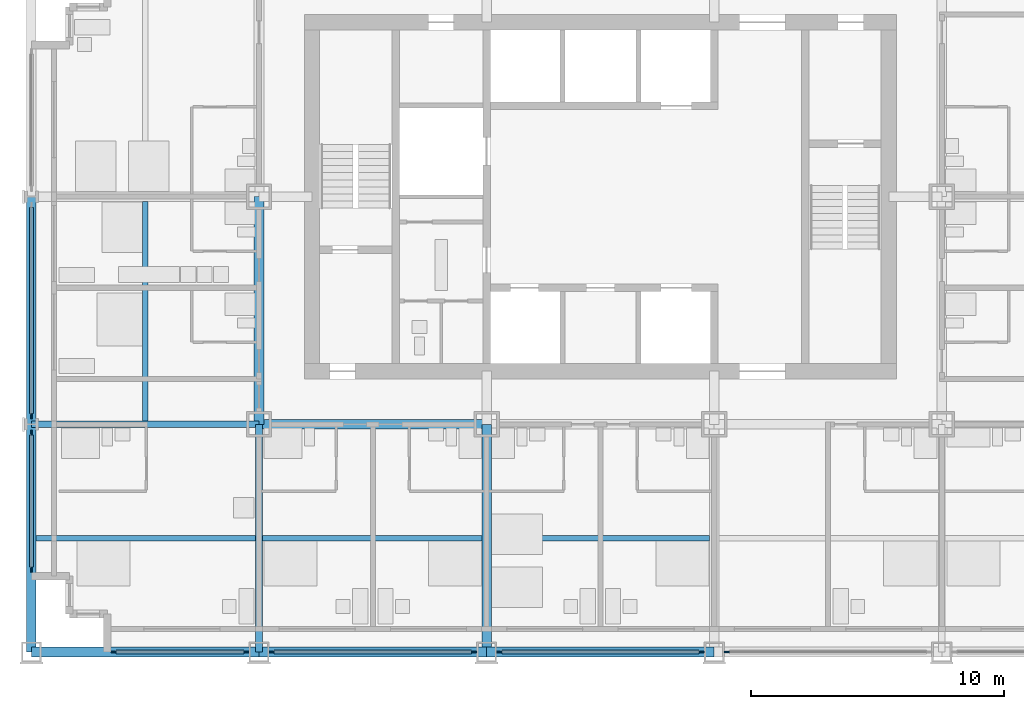
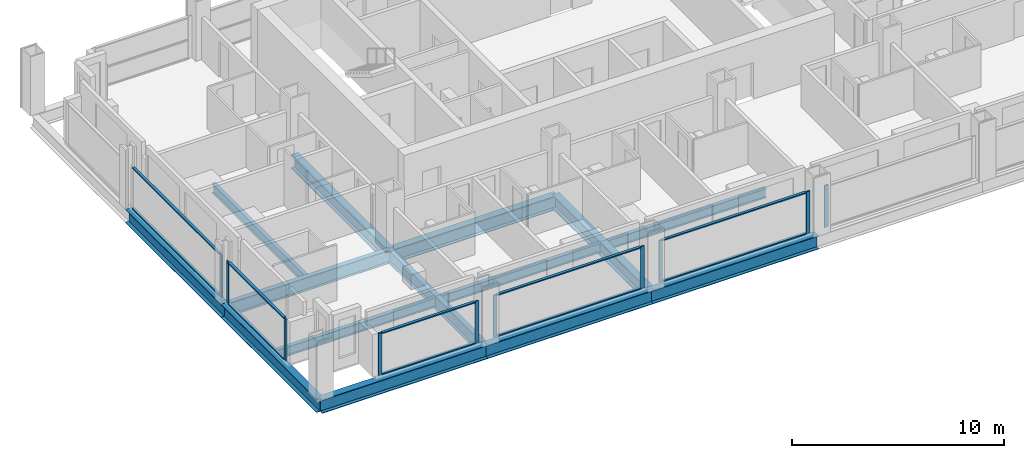
# One storey, part 2 of 13: 20 members, 14 beams, 6 elements without a shape of their own.
"""IFC4 building model written with IfcOpenShell, lengths in metres."""

from ifc_helpers import new_model, si_unit, direction, frame, origin, origin_2d, place, context, subcontext, project, spatial, rectangle, i_section, extrude, material, material_profile, profile_set, type_object, element, aggregate, save


model = new_model("IFC4")

# Units and contexts
model_context = context("Model", 3, precision=1e-05, world=origin(), true_north=direction((0.0, 1.0)))
body_context = subcontext(model_context, "Body", "Model", "MODEL_VIEW")
ifc_project = project(units=[si_unit("LENGTHUNIT", "METRE"), si_unit("AREAUNIT", "SQUARE_METRE"), si_unit("VOLUMEUNIT", "CUBIC_METRE"), si_unit("PLANEANGLEUNIT", "RADIAN"), si_unit("MASSUNIT", "GRAM", prefix="KILO")], contexts=[model_context])

# Site, building, storey
site_placement = place(None, origin())
site = spatial("IfcSite", under=ifc_project, at=site_placement, CompositionType="ELEMENT")
building_placement = place(site_placement, origin())
building = spatial("IfcBuilding", under=site, at=building_placement, Name="Loomwork Tower", CompositionType="ELEMENT")
storey_placement = place(building_placement, frame((0.0, 0.0, 163.800048828125)))
storey = spatial("IfcBuildingStorey", under=building, at=storey_placement, Name="L44", CompositionType="ELEMENT", Elevation=163.800048828125)

# Beams
ifc_material_1 = material(Name="Steel ASTM A992", Category="steel")
ifc_material_profile_1 = material_profile(ifc_material_1, i_section(OverallWidth=0.383544921875, OverallDepth=0.794921875, WebThickness=0.02099609375, FlangeThickness=0.0380859375, at=origin_2d()), Name="W30x235")
ifc_profile_set_1 = profile_set([ifc_material_profile_1], Name="Steel ASTM A992")
beam_type_1 = type_object("IfcBeamType", Name="CORE FLANK GIRDER W30x235", PredefinedType="BEAM", material=ifc_profile_set_1)
for number, where, z_axis, x_axis, name in (
    (1, (9.0, 9.0, -0.59765625), (1.0, 0.0, 0.0), (0.0, 1.0, 0.0), "Core Flank Girder E/3-E/4 L44"),
    (2, (9.0, 9.0, -0.59765625), (0.0, 1.0, 0.0), (-1.0, 0.0, 0.0), "Core Flank Girder E/3-F/3 L44"),
    (3, (18.0, 0.0, -0.59765625), (0.0, 1.0, 0.0), (-1.0, 0.0, 0.0), "Core Flank Girder D/4-E/4 L44"),
):
    element("IfcBeam", number, at=place(storey_placement, frame(where, z_axis=z_axis, x_axis=x_axis)), inside=storey, type_object=beam_type_1, Name=name, PredefinedType="BEAM", context=body_context, shape_type="SweptSolid", body=[
        extrude(i_section(OverallWidth=0.383544921875, OverallDepth=0.794921875, WebThickness=0.02099609375, FlangeThickness=0.0380859375, at=origin_2d()), origin(), (0.0, 0.0, 1.0), 9.0),
    ])
ifc_material_2 = material(Name="Steel ASTM A992", Category="steel")
ifc_material_profile_2 = material_profile(ifc_material_2, i_section(OverallWidth=0.2666015625, OverallDepth=0.761962890625, WebThickness=0.014404296875, FlangeThickness=0.021484375, at=origin_2d()), Name="W30x116")
ifc_profile_set_2 = profile_set([ifc_material_profile_2], Name="Steel ASTM A992")
beam_type_2 = type_object("IfcBeamType", Name="FLOOR GIRDER W30x116", PredefinedType="BEAM", material=ifc_profile_set_2)
for number, where, z_axis, x_axis, name in (
    (4, (0.0, 9.0, -0.5810546875), (1.0, 0.0, 0.0), (0.0, 1.0, 0.0), "Floor Girder E/2-E/3 L44"),
    (5, (9.0, 0.0, -0.5810546875), (0.0, 1.0, 0.0), (-1.0, 0.0, 0.0), "Floor Girder D/3-E/3 L44"),
):
    element("IfcBeam", number, at=place(storey_placement, frame(where, z_axis=z_axis, x_axis=x_axis)), inside=storey, type_object=beam_type_2, Name=name, PredefinedType="BEAM", context=body_context, shape_type="SweptSolid", body=[
        extrude(i_section(OverallWidth=0.2666015625, OverallDepth=0.761962890625, WebThickness=0.014404296875, FlangeThickness=0.021484375, at=origin_2d()), origin(), (0.0, 0.0, 1.0), 9.0),
    ])
ifc_material_3 = material(Name="Steel ASTM A992", Category="steel")
ifc_material_profile_3 = material_profile(ifc_material_3, i_section(OverallWidth=0.2109375, OverallDepth=0.53857421875, WebThickness=0.011474609375, FlangeThickness=0.018798828125, at=origin_2d()), Name="W21x73")
ifc_profile_set_3 = profile_set([ifc_material_profile_3], Name="Steel ASTM A992")
beam_type_3 = type_object("IfcBeamType", Name="FLOOR JOIST W21x73", PredefinedType="JOIST", material=ifc_profile_set_3)
beam_1_placement = place(storey_placement, frame((0.18994140625, 4.5, -0.46923828125), z_axis=(1.0, 0.0, 0.0), x_axis=(0.0, 1.0, 0.0)))
element("IfcBeam", 6, at=beam_1_placement, inside=storey, type_object=beam_type_3, Name="Floor Joist 0.000,4.500-9.000,4.500 L44", PredefinedType="JOIST", context=body_context, shape_type="SweptSolid", body=[
    extrude(i_section(OverallWidth=0.2109375, OverallDepth=0.53857421875, WebThickness=0.011474609375, FlangeThickness=0.018798828125, at=origin_2d()), origin(), (0.0, 0.0, 1.0), 8.677001953125),
])
for number, where, z_axis, x_axis, name in (
    (7, (4.5, 9.133056640625, -0.46923828125), (0.0, 1.0, 0.0), (-1.0, 0.0, 0.0), "Floor Joist 4.500,9.000-4.500,18.000 L44"),
    (8, (9.133056640625, 4.5, -0.46923828125), (1.0, 0.0, 0.0), (0.0, 1.0, 0.0), "Floor Joist 9.000,4.500-18.000,4.500 L44"),
):
    element("IfcBeam", number, at=place(storey_placement, frame(where, z_axis=z_axis, x_axis=x_axis)), inside=storey, type_object=beam_type_3, Name=name, PredefinedType="JOIST", context=body_context, shape_type="SweptSolid", body=[
        extrude(i_section(OverallWidth=0.2109375, OverallDepth=0.53857421875, WebThickness=0.011474609375, FlangeThickness=0.018798828125, at=origin_2d()), origin(), (0.0, 0.0, 1.0), 8.676025390625),
    ])
beam_2_placement = place(storey_placement, frame((18.19091796875, 4.5, -0.46923828125), z_axis=(1.0, 0.0, 0.0), x_axis=(0.0, 1.0, 0.0)))
element("IfcBeam", 9, at=beam_2_placement, inside=storey, type_object=beam_type_3, Name="Floor Joist 18.000,4.500-27.000,4.500 L44", PredefinedType="JOIST", context=body_context, shape_type="SweptSolid", body=[
    extrude(i_section(OverallWidth=0.2109375, OverallDepth=0.53857421875, WebThickness=0.011474609375, FlangeThickness=0.018798828125, at=origin_2d()), origin(), (0.0, 0.0, 1.0), 8.6181640625),
])

# Curtain wall, members
ifc_material_4 = material(Name="Aluminium curtain wall frame", Category="aluminium")
curtain_wall_type = type_object("IfcCurtainWallType", Name="Outer skin glazing hotel", PredefinedType="NOTDEFINED", material=ifc_material_4)
curtain_wall_1_placement = place(storey_placement, origin())
curtain_wall_1 = element("IfcCurtainWall", 10, at=curtain_wall_1_placement, inside=storey, type_object=curtain_wall_type, Name="Outer skin glazing hotel cw/S-0", PredefinedType="NOTDEFINED")
ifc_material_5 = material(Name="Aluminium curtain wall frame", Category="aluminium")
ifc_material_profile_4 = material_profile(ifc_material_5, rectangle(XDim=0.06494140625, YDim=0.199951171875, at=origin_2d()), Name="AL 65x200")
ifc_profile_set_4 = profile_set([ifc_material_profile_4], Name="Aluminium curtain wall frame")
member_type_1 = type_object("IfcMemberType", Name="Outer skin glazing hotel mullion", PredefinedType="MULLION", material=ifc_profile_set_4)
member_1_placement = place(storey_placement, frame((3.25, 0.0, 0.0), z_axis=(0.0, 0.0, 1.0), x_axis=(0.0, 1.0, 0.0)))
member_1 = element("IfcMember", 11, at=member_1_placement, type_object=member_type_1, Name="CW1 mullion 1", PredefinedType="MULLION", context=body_context, shape_type="SweptSolid", body=[
    extrude(rectangle(XDim=0.06494140625, YDim=0.199951171875, at=origin_2d()), origin(), (0.0, 0.0, 1.0), 2.420166015625),
])
member_2_placement = place(storey_placement, frame((8.5, 0.0, 0.0), z_axis=(0.0, 0.0, 1.0), x_axis=(0.0, 1.0, 0.0)))
member_2 = element("IfcMember", 12, at=member_2_placement, type_object=member_type_1, Name="CW1 mullion 2", PredefinedType="MULLION", context=body_context, shape_type="SweptSolid", body=[
    extrude(rectangle(XDim=0.06494140625, YDim=0.199951171875, at=origin_2d()), origin(), (0.0, 0.0, 1.0), 2.420166015625),
])

curtain_wall_2_placement = place(storey_placement, origin())
curtain_wall_2 = element("IfcCurtainWall", 13, at=curtain_wall_2_placement, inside=storey, type_object=curtain_wall_type, Name="Outer skin glazing hotel cw/S-9", PredefinedType="NOTDEFINED")
member_3_placement = place(storey_placement, frame((9.5, 0.0, 0.0), z_axis=(0.0, 0.0, 1.0), x_axis=(0.0, 1.0, 0.0)))
member_3 = element("IfcMember", 14, at=member_3_placement, type_object=member_type_1, Name="CW1 mullion 1", PredefinedType="MULLION", context=body_context, shape_type="SweptSolid", body=[
    extrude(rectangle(XDim=0.06494140625, YDim=0.199951171875, at=origin_2d()), origin(), (0.0, 0.0, 1.0), 2.420166015625),
])
member_4_placement = place(storey_placement, frame((17.5, 0.0, 0.0), z_axis=(0.0, 0.0, 1.0), x_axis=(0.0, 1.0, 0.0)))
member_4 = element("IfcMember", 15, at=member_4_placement, type_object=member_type_1, Name="CW1 mullion 2", PredefinedType="MULLION", context=body_context, shape_type="SweptSolid", body=[
    extrude(rectangle(XDim=0.06494140625, YDim=0.199951171875, at=origin_2d()), origin(), (0.0, 0.0, 1.0), 2.420166015625),
])

curtain_wall_3_placement = place(storey_placement, origin())
curtain_wall_3 = element("IfcCurtainWall", 16, at=curtain_wall_3_placement, inside=storey, type_object=curtain_wall_type, Name="Outer skin glazing hotel cw/S-18", PredefinedType="NOTDEFINED")
member_5_placement = place(storey_placement, frame((18.5, 0.0, 0.0), z_axis=(0.0, 0.0, 1.0), x_axis=(0.0, 1.0, 0.0)))
member_5 = element("IfcMember", 17, at=member_5_placement, type_object=member_type_1, Name="CW1 mullion 1", PredefinedType="MULLION", context=body_context, shape_type="SweptSolid", body=[
    extrude(rectangle(XDim=0.06494140625, YDim=0.199951171875, at=origin_2d()), origin(), (0.0, 0.0, 1.0), 2.420166015625),
])
member_6_placement = place(storey_placement, frame((26.5, 0.0, 0.0), z_axis=(0.0, 0.0, 1.0), x_axis=(0.0, 1.0, 0.0)))
member_6 = element("IfcMember", 18, at=member_6_placement, type_object=member_type_1, Name="CW1 mullion 2", PredefinedType="MULLION", context=body_context, shape_type="SweptSolid", body=[
    extrude(rectangle(XDim=0.06494140625, YDim=0.199951171875, at=origin_2d()), origin(), (0.0, 0.0, 1.0), 2.420166015625),
])

# Curtain wall, member
curtain_wall_4_placement = place(storey_placement, origin())
curtain_wall_4 = element("IfcCurtainWall", 19, at=curtain_wall_4_placement, inside=storey, type_object=curtain_wall_type, Name="Outer skin glazing hotel cw/S-27", PredefinedType="NOTDEFINED")
member_7_placement = place(storey_placement, frame((27.5, 0.0, 0.0), z_axis=(0.0, 0.0, 1.0), x_axis=(0.0, 1.0, 0.0)))
member_7 = element("IfcMember", 20, at=member_7_placement, type_object=member_type_1, Name="CW1 mullion 1", PredefinedType="MULLION", context=body_context, shape_type="SweptSolid", body=[
    extrude(rectangle(XDim=0.06494140625, YDim=0.199951171875, at=origin_2d()), origin(), (0.0, 0.0, 1.0), 2.420166015625),
])
aggregate(curtain_wall_4, [member_7])

# Curtain wall, members
curtain_wall_5_placement = place(storey_placement, origin())
curtain_wall_5 = element("IfcCurtainWall", 21, at=curtain_wall_5_placement, inside=storey, type_object=curtain_wall_type, Name="Outer skin glazing hotel cw/W-0", PredefinedType="NOTDEFINED")
member_8_placement = place(storey_placement, frame((0.0, 8.67529296875, 0.0), z_axis=(0.0, 0.0, 1.0), x_axis=(1.0, 0.0, 0.0)))
member_8 = element("IfcMember", 22, at=member_8_placement, type_object=member_type_1, Name="CW1 mullion 1", PredefinedType="MULLION", context=body_context, shape_type="SweptSolid", body=[
    extrude(rectangle(XDim=0.06494140625, YDim=0.199951171875, at=origin_2d()), origin(), (0.0, 0.0, 1.0), 2.420166015625),
])
member_9_placement = place(storey_placement, frame((0.0, 3.25, 0.0), z_axis=(0.0, 0.0, 1.0), x_axis=(1.0, 0.0, 0.0)))
member_9 = element("IfcMember", 23, at=member_9_placement, type_object=member_type_1, Name="CW1 mullion 2", PredefinedType="MULLION", context=body_context, shape_type="SweptSolid", body=[
    extrude(rectangle(XDim=0.06494140625, YDim=0.199951171875, at=origin_2d()), origin(), (0.0, 0.0, 1.0), 2.420166015625),
])

# Curtain wall, member
curtain_wall_6_placement = place(storey_placement, origin())
curtain_wall_6 = element("IfcCurtainWall", 24, at=curtain_wall_6_placement, inside=storey, type_object=curtain_wall_type, Name="Outer skin glazing hotel cw/W-9", PredefinedType="NOTDEFINED")
member_10_placement = place(storey_placement, frame((0.0, 9.32470703125, 0.0), z_axis=(0.0, 0.0, 1.0), x_axis=(1.0, 0.0, 0.0)))
member_10 = element("IfcMember", 25, at=member_10_placement, type_object=member_type_1, Name="CW1 mullion 2", PredefinedType="MULLION", context=body_context, shape_type="SweptSolid", body=[
    extrude(rectangle(XDim=0.06494140625, YDim=0.199951171875, at=origin_2d()), origin(), (0.0, 0.0, 1.0), 2.420166015625),
])

# Member
ifc_material_6 = material(Name="Aluminium curtain wall frame", Category="aluminium")
ifc_material_profile_5 = material_profile(ifc_material_6, rectangle(XDim=0.14990234375, YDim=0.06494140625, at=origin_2d()), Name="AL 65x150")
ifc_profile_set_5 = profile_set([ifc_material_profile_5], Name="Aluminium curtain wall frame")
member_type_2 = type_object("IfcMemberType", Name="Outer skin glazing hotel transom", PredefinedType="USERDEFINED", material=ifc_profile_set_5)
member_11_placement = place(storey_placement, frame((3.35009765625, 0.0, 0.032470703125), z_axis=(1.0, 0.0, 0.0), x_axis=(0.0, 1.0, 0.0)))
member_11 = element("IfcMember", 26, at=member_11_placement, type_object=member_type_2, Name="CW1 transom 1.1", ObjectType="TRANSOM", PredefinedType="USERDEFINED", context=body_context, shape_type="SweptSolid", body=[
    extrude(rectangle(XDim=0.14990234375, YDim=0.06494140625, at=origin_2d()), origin(), (0.0, 0.0, 1.0), 5.0498046875),
])

member_12_placement = place(storey_placement, frame((3.35009765625, 0.0, 2.3876953125), z_axis=(1.0, 0.0, 0.0), x_axis=(0.0, 1.0, 0.0)))
member_12 = element("IfcMember", 27, at=member_12_placement, type_object=member_type_2, Name="CW1 transom 1.2", ObjectType="TRANSOM", PredefinedType="USERDEFINED", context=body_context, shape_type="SweptSolid", body=[
    extrude(rectangle(XDim=0.14990234375, YDim=0.06494140625, at=origin_2d()), origin(), (0.0, 0.0, 1.0), 5.0498046875),
])

aggregate(curtain_wall_1, [member_1, member_2, member_11, member_12])

member_13_placement = place(storey_placement, frame((9.60009765625, 0.0, 0.032470703125), z_axis=(1.0, 0.0, 0.0), x_axis=(0.0, 1.0, 0.0)))
member_13 = element("IfcMember", 28, at=member_13_placement, type_object=member_type_2, Name="CW1 transom 1.1", ObjectType="TRANSOM", PredefinedType="USERDEFINED", context=body_context, shape_type="SweptSolid", body=[
    extrude(rectangle(XDim=0.14990234375, YDim=0.06494140625, at=origin_2d()), origin(), (0.0, 0.0, 1.0), 7.7998046875),
])

member_14_placement = place(storey_placement, frame((9.60009765625, 0.0, 2.3876953125), z_axis=(1.0, 0.0, 0.0), x_axis=(0.0, 1.0, 0.0)))
member_14 = element("IfcMember", 29, at=member_14_placement, type_object=member_type_2, Name="CW1 transom 1.2", ObjectType="TRANSOM", PredefinedType="USERDEFINED", context=body_context, shape_type="SweptSolid", body=[
    extrude(rectangle(XDim=0.14990234375, YDim=0.06494140625, at=origin_2d()), origin(), (0.0, 0.0, 1.0), 7.7998046875),
])

aggregate(curtain_wall_2, [member_3, member_4, member_13, member_14])

member_15_placement = place(storey_placement, frame((18.60009765625, 0.0, 0.032470703125), z_axis=(1.0, 0.0, 0.0), x_axis=(0.0, 1.0, 0.0)))
member_15 = element("IfcMember", 30, at=member_15_placement, type_object=member_type_2, Name="CW1 transom 1.1", ObjectType="TRANSOM", PredefinedType="USERDEFINED", context=body_context, shape_type="SweptSolid", body=[
    extrude(rectangle(XDim=0.14990234375, YDim=0.06494140625, at=origin_2d()), origin(), (0.0, 0.0, 1.0), 7.7998046875),
])

member_16_placement = place(storey_placement, frame((18.60009765625, 0.0, 2.3876953125), z_axis=(1.0, 0.0, 0.0), x_axis=(0.0, 1.0, 0.0)))
member_16 = element("IfcMember", 31, at=member_16_placement, type_object=member_type_2, Name="CW1 transom 1.2", ObjectType="TRANSOM", PredefinedType="USERDEFINED", context=body_context, shape_type="SweptSolid", body=[
    extrude(rectangle(XDim=0.14990234375, YDim=0.06494140625, at=origin_2d()), origin(), (0.0, 0.0, 1.0), 7.7998046875),
])

aggregate(curtain_wall_3, [member_5, member_6, member_15, member_16])

member_17_placement = place(storey_placement, frame((0.0, 8.5751953125, 0.032470703125), z_axis=(0.0, -1.0, 0.0), x_axis=(1.0, 0.0, 0.0)))
member_17 = element("IfcMember", 32, at=member_17_placement, type_object=member_type_2, Name="CW1 transom 1.1", ObjectType="TRANSOM", PredefinedType="USERDEFINED", context=body_context, shape_type="SweptSolid", body=[
    extrude(rectangle(XDim=0.14990234375, YDim=0.06494140625, at=origin_2d()), origin(), (0.0, 0.0, 1.0), 5.22509765625),
])

member_18_placement = place(storey_placement, frame((0.0, 8.5751953125, 2.3876953125), z_axis=(0.0, -1.0, 0.0), x_axis=(1.0, 0.0, 0.0)))
member_18 = element("IfcMember", 33, at=member_18_placement, type_object=member_type_2, Name="CW1 transom 1.2", ObjectType="TRANSOM", PredefinedType="USERDEFINED", context=body_context, shape_type="SweptSolid", body=[
    extrude(rectangle(XDim=0.14990234375, YDim=0.06494140625, at=origin_2d()), origin(), (0.0, 0.0, 1.0), 5.22509765625),
])

aggregate(curtain_wall_5, [member_8, member_9, member_17, member_18])

member_19_placement = place(storey_placement, frame((0.0, 17.5751953125, 0.032470703125), z_axis=(0.0, -1.0, 0.0), x_axis=(1.0, 0.0, 0.0)))
member_19 = element("IfcMember", 34, at=member_19_placement, type_object=member_type_2, Name="CW1 transom 1.1", ObjectType="TRANSOM", PredefinedType="USERDEFINED", context=body_context, shape_type="SweptSolid", body=[
    extrude(rectangle(XDim=0.14990234375, YDim=0.06494140625, at=origin_2d()), origin(), (0.0, 0.0, 1.0), 8.150390625),
])

member_20_placement = place(storey_placement, frame((0.0, 17.5751953125, 2.3876953125), z_axis=(0.0, -1.0, 0.0), x_axis=(1.0, 0.0, 0.0)))
member_20 = element("IfcMember", 35, at=member_20_placement, type_object=member_type_2, Name="CW1 transom 1.2", ObjectType="TRANSOM", PredefinedType="USERDEFINED", context=body_context, shape_type="SweptSolid", body=[
    extrude(rectangle(XDim=0.14990234375, YDim=0.06494140625, at=origin_2d()), origin(), (0.0, 0.0, 1.0), 8.150390625),
])

aggregate(curtain_wall_6, [member_10, member_19, member_20])

# Beams
ifc_material_7 = material(Name="Steel ASTM A992", Category="steel")
ifc_material_profile_6 = material_profile(ifc_material_7, i_section(OverallWidth=0.381103515625, OverallDepth=0.77978515625, WebThickness=0.01806640625, FlangeThickness=0.0302734375, at=origin_2d()), Name="W30x191")
ifc_profile_set_6 = profile_set([ifc_material_profile_6], Name="Steel ASTM A992")
beam_type_4 = type_object("IfcBeamType", Name="SPANDREL GIRDER W30x191", PredefinedType="SPANDREL", material=ifc_profile_set_6)
for number, where, z_axis, x_axis, name in (
    (36, (0.0, 0.0, -0.58984375), (1.0, 0.0, 0.0), (0.0, 1.0, 0.0), "Spandrel Girder D/2-D/3 L44"),
    (37, (9.0, 0.0, -0.58984375), (1.0, 0.0, 0.0), (0.0, 1.0, 0.0), "Spandrel Girder D/3-D/4 L44"),
    (38, (18.0, 0.0, -0.58984375), (1.0, 0.0, 0.0), (0.0, 1.0, 0.0), "Spandrel Girder D/4-D/5 L44"),
    (39, (0.0, 0.0, -0.58984375), (0.0, 1.0, 0.0), (-1.0, 0.0, 0.0), "Spandrel Girder D/2-E/2 L44"),
    (40, (0.0, 9.0, -0.58984375), (0.0, 1.0, 0.0), (-1.0, 0.0, 0.0), "Spandrel Girder E/2-F/2 L44"),
):
    element("IfcBeam", number, at=place(storey_placement, frame(where, z_axis=z_axis, x_axis=x_axis)), inside=storey, type_object=beam_type_4, Name=name, PredefinedType="SPANDREL", context=body_context, shape_type="SweptSolid", body=[
        extrude(i_section(OverallWidth=0.381103515625, OverallDepth=0.77978515625, WebThickness=0.01806640625, FlangeThickness=0.0302734375, at=origin_2d()), origin(), (0.0, 0.0, 1.0), 9.0),
    ])

save(model, "model.ifc")
